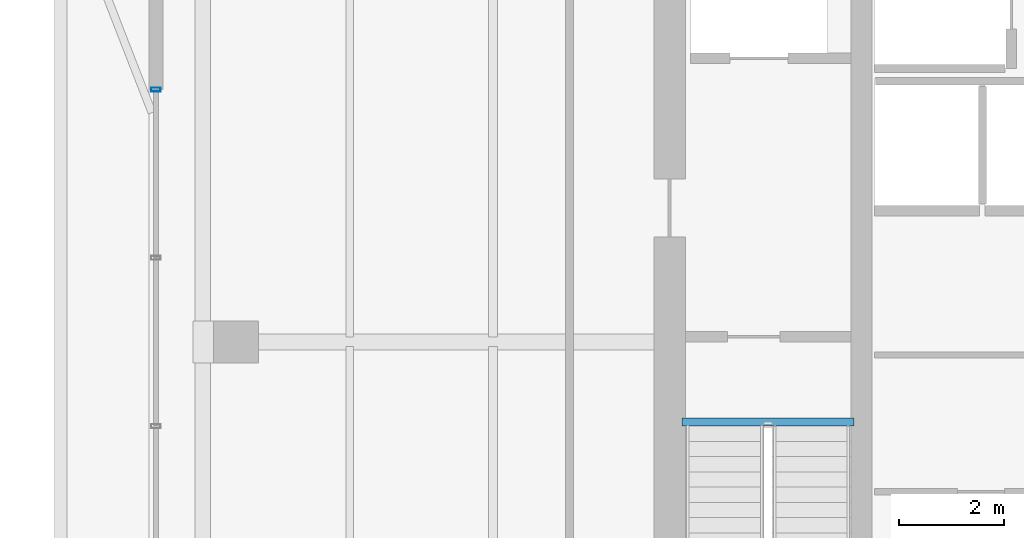
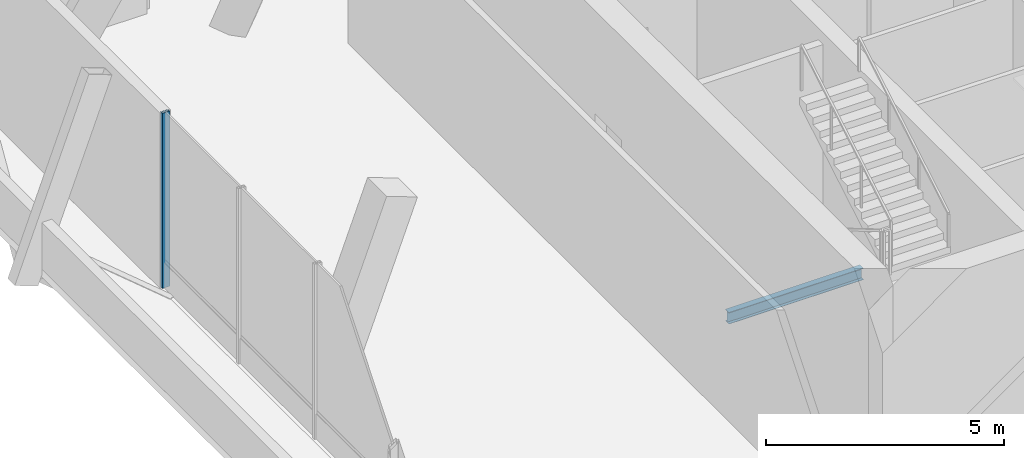
# One storey, part 8 of 18: 1 beam, 1 member, 1 element without a shape of its own.
"""IFC4 building model written with IfcOpenShell, lengths in metres."""

from ifc_helpers import new_model, si_unit, direction, frame, origin, origin_2d, place, context, subcontext, project, spatial, hollow_rectangle, i_section, extrude, material, layer, layer_set, material_profile, profile_set, type_object, element, aggregate, save


model = new_model("IFC4")

# Units and contexts
model_context = context("Model", 3, precision=1e-05, world=origin(), true_north=direction((0.0, 1.0)))
body_context = subcontext(model_context, "Body", "Model", "MODEL_VIEW")
ifc_project = project(units=[si_unit("LENGTHUNIT", "METRE"), si_unit("AREAUNIT", "SQUARE_METRE"), si_unit("VOLUMEUNIT", "CUBIC_METRE"), si_unit("PLANEANGLEUNIT", "RADIAN"), si_unit("MASSUNIT", "GRAM", prefix="KILO")], contexts=[model_context])

# Site, building, storey
site_placement = place(None, origin())
site = spatial("IfcSite", under=ifc_project, at=site_placement, CompositionType="ELEMENT")
building_placement = place(site_placement, origin())
building = spatial("IfcBuilding", under=site, at=building_placement, Name="Belovzor Exchange Tower", CompositionType="ELEMENT")
storey_placement = place(building_placement, frame((0.0, 0.0, 369.0)))
storey = spatial("IfcBuildingStorey", under=building, at=storey_placement, Name="L92", CompositionType="ELEMENT", Elevation=369.0)

# Beam
ifc_material_1 = material(Name="Steel S355", Category="steel")
ifc_material_profile_1 = material_profile(ifc_material_1, i_section(OverallWidth=0.14990234375, OverallDepth=0.300048828125, WebThickness=0.007080078125, FlangeThickness=0.0107421875, at=origin_2d()))
ifc_profile_set_1 = profile_set([ifc_material_profile_1], Name="Steel S355")
beam_type = type_object("IfcBeamType", Name="Secondary Trim Floor Joist IPE 300", PredefinedType="BEAM", material=ifc_profile_set_1)
beam_placement = place(storey_placement, frame((20.340087890625, 27.280029296875, -0.449951171875), z_axis=(1.0, 0.0, 0.0), x_axis=(0.0, 1.0, 0.0)))
element("IfcBeam", 1, at=beam_placement, inside=storey, type_object=beam_type, Name="FJ-300 Secondary Trim Floor Joist IPE 300", PredefinedType="BEAM", context=body_context, shape_type="SweptSolid", body=[
    extrude(i_section(OverallWidth=0.14990234375, OverallDepth=0.300048828125, WebThickness=0.007080078125, FlangeThickness=0.0107421875, at=origin_2d()), origin(), (0.0, 0.0, 1.0), 3.27001953125),
])

# Curtain wall, member
ifc_material_2 = material(Name="Anodised Aluminium Framing", Category="aluminium")
ifc_layer = layer(ifc_material_2, 0.169921875)
ifc_layer_set = layer_set([ifc_layer], Name="Anodised Aluminium Framing")
curtain_wall_type = type_object("IfcCurtainWallType", Name="Stepped Crown Faceted Lantern Curtain Wall", PredefinedType="NOTDEFINED", material=ifc_layer_set)
curtain_wall_placement = place(storey_placement, origin())
curtain_wall = element("IfcCurtainWall", 2, at=curtain_wall_placement, inside=storey, type_object=curtain_wall_type, Name="CW6 Stepped Crown Faceted Lantern Curtain Wall L92", PredefinedType="NOTDEFINED")
ifc_material_3 = material(Name="Steel S355", Category="steel")
ifc_material_profile_2 = material_profile(ifc_material_3, hollow_rectangle(XDim=0.074951171875, YDim=0.179931640625, WallThickness=0.0048828125, at=origin_2d()))
ifc_profile_set_2 = profile_set([ifc_material_profile_2], Name="Steel S355")
member_type = type_object("IfcMemberType", Name="Thermally Broken Curtain Wall Mullion 180x75", PredefinedType="MULLION", material=ifc_profile_set_2)
member_placement = place(storey_placement, frame((10.330078125, 33.60009765625, 0.0), z_axis=(0.0, 0.0, 1.0), x_axis=(0.0, 1.0, 0.0)))
member = element("IfcMember", 3, at=member_placement, type_object=member_type, Name="CW-M180 Curtain Wall Mullion 4", PredefinedType="MULLION", context=body_context, shape_type="SweptSolid", body=[
    extrude(hollow_rectangle(XDim=0.074951171875, YDim=0.179931640625, WallThickness=0.0048828125, at=origin_2d()), origin(), (0.0, 0.0, 1.0), 4.5),
])
aggregate(curtain_wall, [member])

save(model, "model.ifc")
